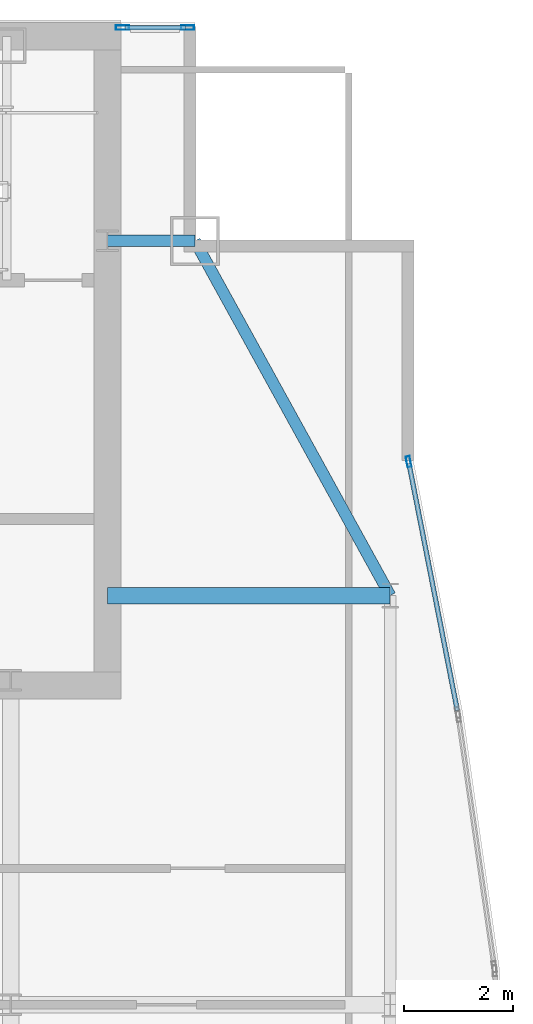
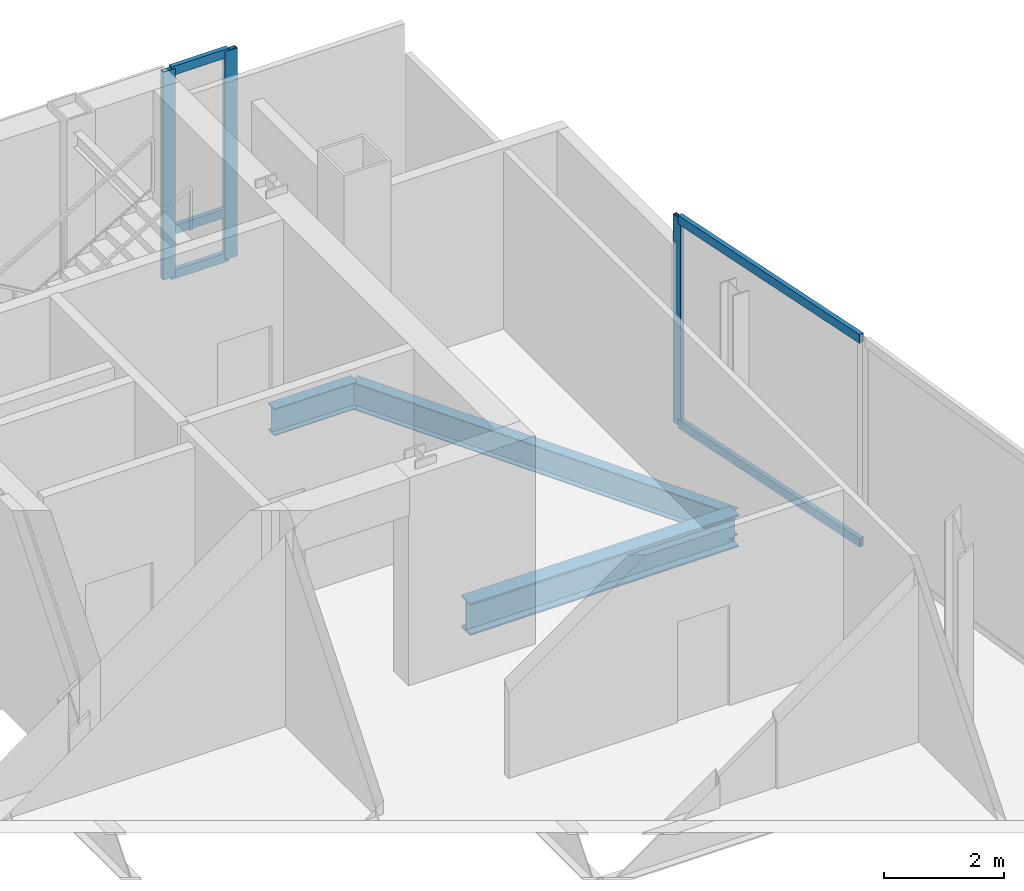
# One storey, part 20 of 27: 8 members, 3 beams, 2 elements without a shape of their own.
"""IFC4 building model written with IfcOpenShell, lengths in metres."""

from ifc_helpers import new_model, si_unit, direction, frame, origin, origin_2d, place, context, subcontext, project, spatial, hollow_rectangle, i_section, extrude, material, material_profile, profile_set, type_object, element, aggregate, save


model = new_model("IFC4")

# Units and contexts
model_context = context("Model", 3, precision=1e-05, world=origin(), true_north=direction((0.0, 1.0)))
body_context = subcontext(model_context, "Body", "Model", "MODEL_VIEW")
ifc_project = project(units=[si_unit("LENGTHUNIT", "METRE"), si_unit("AREAUNIT", "SQUARE_METRE"), si_unit("VOLUMEUNIT", "CUBIC_METRE"), si_unit("PLANEANGLEUNIT", "RADIAN"), si_unit("MASSUNIT", "GRAM", prefix="KILO")], contexts=[model_context])

# Site, building, storey
site_placement = place(None, origin())
site = spatial("IfcSite", under=ifc_project, at=site_placement, CompositionType="ELEMENT")
building_placement = place(site_placement, origin())
building = spatial("IfcBuilding", under=site, at=building_placement, Name="Khoronbel Lancet Exchange", CompositionType="ELEMENT")
storey_placement = place(building_placement, frame((0.0, 0.0, 310.199951171875)))
storey = spatial("IfcBuildingStorey", under=building, at=storey_placement, Name="L80", CompositionType="ELEMENT", Elevation=310.199951171875)

# Beams
ifc_material_1 = material(Name="Steel S355", Category="steel")
ifc_material_profile_1 = material_profile(ifc_material_1, i_section(OverallWidth=0.300048828125, OverallDepth=0.64990234375, WebThickness=0.01611328125, FlangeThickness=0.031005859375, at=origin_2d()), Name="HEB 650")
ifc_profile_set_1 = profile_set([ifc_material_profile_1], Name="Steel S355")
beam_type_1 = type_object("IfcBeamType", Name="BM-BG4", PredefinedType="BEAM", material=ifc_profile_set_1)
beam_1_placement = place(storey_placement, frame((56.449951171875, 43.199951171875, -0.48486328125), z_axis=(1.0, 0.0, 0.0), x_axis=(0.0, 1.0, 0.0)))
element("IfcBeam", 1, at=beam_1_placement, inside=storey, type_object=beam_type_1, Name="Level L80 east lens tie girder LG3E", PredefinedType="BEAM", context=body_context, shape_type="SweptSolid", body=[
    extrude(i_section(OverallWidth=0.300048828125, OverallDepth=0.64990234375, WebThickness=0.01611328125, FlangeThickness=0.031005859375, at=origin_2d()), origin(), (0.0, 0.0, 1.0), 5.179931640625),
])
ifc_material_profile_2 = material_profile(ifc_material_1, i_section(OverallWidth=0.2099609375, OverallDepth=0.550048828125, WebThickness=0.010986328125, FlangeThickness=0.01708984375, at=origin_2d()), Name="IPE 550")
ifc_profile_set_2 = profile_set([ifc_material_profile_2], Name="Steel S355")
beam_type_2 = type_object("IfcBeamType", Name="BM-BSP3", PredefinedType="SPANDREL", material=ifc_profile_set_2)
beam_2_placement = place(storey_placement, frame((61.6298828125, 43.199951171875, -0.43505859375), z_axis=(-0.482418808117, 0.875940690672, 0.0), x_axis=(-0.875940690672, -0.482418808117, 0.0)))
element("IfcBeam", 2, at=beam_2_placement, inside=storey, type_object=beam_type_2, Name="Level L80 perimeter spandrel beam SP13", PredefinedType="SPANDREL", context=body_context, shape_type="SweptSolid", body=[
    extrude(i_section(OverallWidth=0.2099609375, OverallDepth=0.550048828125, WebThickness=0.010986328125, FlangeThickness=0.01708984375, at=origin_2d()), origin(), (0.0, 0.0, 1.0), 7.420654296875),
])
beam_3_placement = place(storey_placement, frame((58.050048828125, 49.699951171875, -0.43505859375), z_axis=(-1.0, 0.0, 0.0), x_axis=(0.0, -1.0, 0.0)))
element("IfcBeam", 3, at=beam_3_placement, inside=storey, type_object=beam_type_2, Name="Level L80 north flank tie spandrel SP21", PredefinedType="SPANDREL", context=body_context, shape_type="SweptSolid", body=[
    extrude(i_section(OverallWidth=0.2099609375, OverallDepth=0.550048828125, WebThickness=0.010986328125, FlangeThickness=0.01708984375, at=origin_2d()), origin(), (0.0, 0.0, 1.0), 1.60009765625),
])

# Curtain wall, members
ifc_material_2 = material(Name="Low-E Solar Control Insulating Glass", Category="glass")
curtain_wall_type_1 = type_object("IfcCurtainWallType", Name="CW-3", PredefinedType="NOTDEFINED", material=ifc_material_2)
curtain_wall_1_placement = place(storey_placement, origin())
curtain_wall_1 = element("IfcCurtainWall", 4, at=curtain_wall_1_placement, inside=storey, type_object=curtain_wall_type_1, Name="Unitised curtain wall CW-L80-NEFLK", PredefinedType="NOTDEFINED")
ifc_material_3 = material(Name="Bronze-Anodised Aluminium 6063-T6", Category="aluminium")
ifc_material_profile_3 = material_profile(ifc_material_3, hollow_rectangle(XDim=0.0849609375, YDim=0.239990234375, WallThickness=0.006103515625, at=origin_2d()), Name="ALU MULLION 85x240")
ifc_profile_set_3 = profile_set([ifc_material_profile_3], Name="Bronze-Anodised Aluminium 6063-T6")
member_type_1 = type_object("IfcMemberType", Name="MEM-CWM1", PredefinedType="MULLION", material=ifc_profile_set_3)
member_1_placement = place(storey_placement, frame((57.91748046875, 53.610107421875, 0.0), z_axis=(0.0, 0.0, 1.0), x_axis=(0.0, -1.0, 0.0)))
member_1 = element("IfcMember", 5, at=member_1_placement, type_object=member_type_1, Name="CW3 mullion 1", PredefinedType="MULLION", context=body_context, shape_type="SweptSolid", body=[
    extrude(hollow_rectangle(XDim=0.0849609375, YDim=0.239990234375, WallThickness=0.006103515625, at=origin_2d()), origin(), (0.0, 0.0, 1.0), 4.239990234375),
])
member_2_placement = place(storey_placement, frame((56.722412109375, 53.610107421875, 0.0), z_axis=(0.0, 0.0, 1.0), x_axis=(0.0, -1.0, 0.0)))
member_2 = element("IfcMember", 6, at=member_2_placement, type_object=member_type_1, Name="CW3 mullion 2", PredefinedType="MULLION", context=body_context, shape_type="SweptSolid", body=[
    extrude(hollow_rectangle(XDim=0.0849609375, YDim=0.239990234375, WallThickness=0.006103515625, at=origin_2d()), origin(), (0.0, 0.0, 1.0), 4.239990234375),
])

# Curtain wall, member
curtain_wall_type_2 = type_object("IfcCurtainWallType", Name="CW-4", PredefinedType="NOTDEFINED", material=ifc_material_2)
curtain_wall_2_placement = place(storey_placement, origin())
curtain_wall_2 = element("IfcCurtainWall", 7, at=curtain_wall_2_placement, inside=storey, type_object=curtain_wall_type_2, Name="Unitised curtain wall CW-L80-E17", PredefinedType="NOTDEFINED")
ifc_material_profile_4 = material_profile(ifc_material_3, hollow_rectangle(XDim=0.074951171875, YDim=0.199951171875, WallThickness=0.0048828125, at=origin_2d()), Name="ALU MULLION 75x200")
ifc_profile_set_4 = profile_set([ifc_material_profile_4], Name="Bronze-Anodised Aluminium 6063-T6")
member_type_2 = type_object("IfcMemberType", Name="MEM-CWM2", PredefinedType="MULLION", material=ifc_profile_set_4)
member_3_placement = place(storey_placement, frame((61.96728515625, 45.654541015625, 0.0), z_axis=(0.0, 0.0, 1.0), x_axis=(0.981360294009, 0.192176932391, 0.0)))
member_3 = element("IfcMember", 8, at=member_3_placement, type_object=member_type_2, Name="CW4 mullion 1", PredefinedType="MULLION", context=body_context, shape_type="SweptSolid", body=[
    extrude(hollow_rectangle(XDim=0.074951171875, YDim=0.199951171875, WallThickness=0.0048828125, at=origin_2d()), origin(), (0.0, 0.0, 1.0), 4.239990234375),
])

# Member
ifc_material_profile_5 = material_profile(ifc_material_3, hollow_rectangle(XDim=0.0849609375, YDim=0.179931640625, WallThickness=0.0048828125, at=origin_2d()), Name="ALU TRANSOM 85x180")
ifc_profile_set_5 = profile_set([ifc_material_profile_5], Name="Bronze-Anodised Aluminium 6063-T6")
member_type_3 = type_object("IfcMemberType", Name="MEM-CWT1", PredefinedType="USERDEFINED", material=ifc_profile_set_5)
member_4_placement = place(storey_placement, frame((57.875, 53.610107421875, 0.04248046875), z_axis=(-1.0, 0.0, 0.0), x_axis=(0.0, -1.0, 0.0)))
member_4 = element("IfcMember", 9, at=member_4_placement, type_object=member_type_3, Name="CW3 transom 1.1", ObjectType="TRANSOM", PredefinedType="USERDEFINED", context=body_context, shape_type="SweptSolid", body=[
    extrude(hollow_rectangle(XDim=0.0849609375, YDim=0.179931640625, WallThickness=0.0048828125, at=origin_2d()), origin(), (0.0, 0.0, 1.0), 1.110107421875),
])

member_5_placement = place(storey_placement, frame((57.875, 53.610107421875, 0.949951171875), z_axis=(-1.0, 0.0, 0.0), x_axis=(0.0, -1.0, 0.0)))
member_5 = element("IfcMember", 10, at=member_5_placement, type_object=member_type_3, Name="CW3 transom 1.2", ObjectType="TRANSOM", PredefinedType="USERDEFINED", context=body_context, shape_type="SweptSolid", body=[
    extrude(hollow_rectangle(XDim=0.0849609375, YDim=0.179931640625, WallThickness=0.0048828125, at=origin_2d()), origin(), (0.0, 0.0, 1.0), 1.110107421875),
])

member_6_placement = place(storey_placement, frame((57.875, 53.610107421875, 4.197509765625), z_axis=(-1.0, 0.0, 0.0), x_axis=(0.0, -1.0, 0.0)))
member_6 = element("IfcMember", 11, at=member_6_placement, type_object=member_type_3, Name="CW3 transom 1.3", ObjectType="TRANSOM", PredefinedType="USERDEFINED", context=body_context, shape_type="SweptSolid", body=[
    extrude(hollow_rectangle(XDim=0.0849609375, YDim=0.179931640625, WallThickness=0.0048828125, at=origin_2d()), origin(), (0.0, 0.0, 1.0), 1.110107421875),
])

aggregate(curtain_wall_1, [member_1, member_2, member_4, member_5, member_6])

member_7_placement = place(storey_placement, frame((61.974365234375, 45.61767578125, 0.04248046875), z_axis=(0.192164562526, -0.981362716282, 0.0), x_axis=(0.981362716282, 0.192164562526, 0.0)))
member_7 = element("IfcMember", 12, at=member_7_placement, type_object=member_type_3, Name="CW4 transom 1.1", ObjectType="TRANSOM", PredefinedType="USERDEFINED", context=body_context, shape_type="SweptSolid", body=[
    extrude(hollow_rectangle(XDim=0.0849609375, YDim=0.179931640625, WallThickness=0.0048828125, at=origin_2d()), origin(), (0.0, 0.0, 1.0), 4.61181640625),
])

member_8_placement = place(storey_placement, frame((61.974365234375, 45.61767578125, 4.197509765625), z_axis=(0.192164562526, -0.981362716282, 0.0), x_axis=(0.981362716282, 0.192164562526, 0.0)))
member_8 = element("IfcMember", 13, at=member_8_placement, type_object=member_type_3, Name="CW4 transom 1.2", ObjectType="TRANSOM", PredefinedType="USERDEFINED", context=body_context, shape_type="SweptSolid", body=[
    extrude(hollow_rectangle(XDim=0.0849609375, YDim=0.179931640625, WallThickness=0.0048828125, at=origin_2d()), origin(), (0.0, 0.0, 1.0), 4.61181640625),
])

aggregate(curtain_wall_2, [member_3, member_7, member_8])

save(model, "model.ifc")
